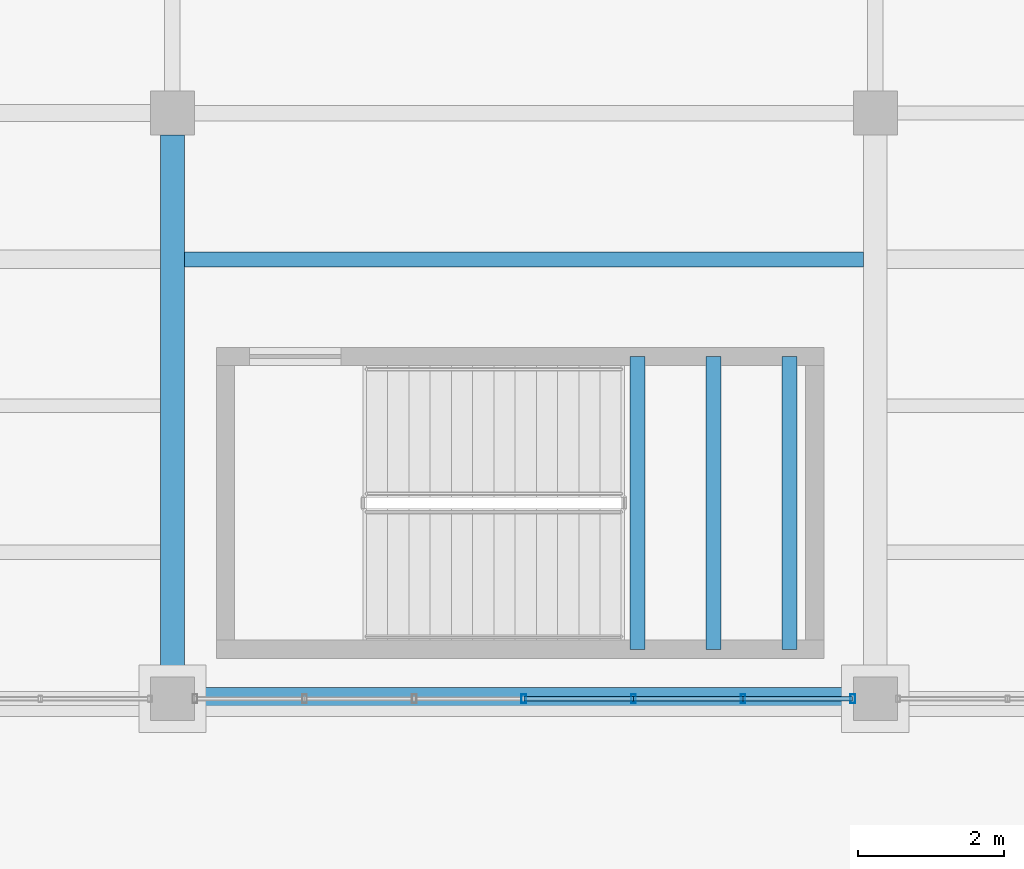
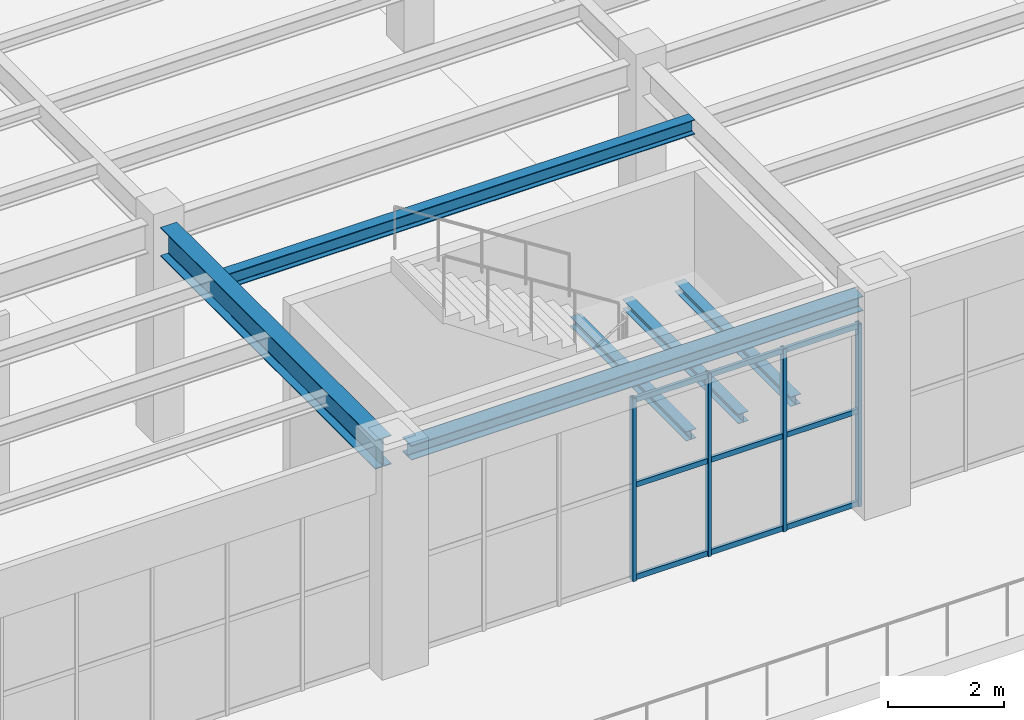
# One storey, part 32 of 83: 13 members, 6 beams, 1 element without a shape of its own.
"""IFC4 building model written with IfcOpenShell, lengths in metres."""

from ifc_helpers import new_model, si_unit, direction, frame, origin, origin_2d, place, context, subcontext, project, spatial, hollow_rectangle, i_section, extrude, material, material_profile, profile_set, type_object, element, aggregate, save


model = new_model("IFC4")

# Units and contexts
model_context = context("Model", 3, precision=1e-05, world=origin(), true_north=direction((0.0, 1.0)))
body_context = subcontext(model_context, "Body", "Model", "MODEL_VIEW")
ifc_project = project(units=[si_unit("LENGTHUNIT", "METRE"), si_unit("AREAUNIT", "SQUARE_METRE"), si_unit("VOLUMEUNIT", "CUBIC_METRE"), si_unit("PLANEANGLEUNIT", "RADIAN"), si_unit("MASSUNIT", "GRAM", prefix="KILO")], contexts=[model_context])

# Site, building, storey
site_placement = place(None, origin())
site = spatial("IfcSite", under=ifc_project, at=site_placement, CompositionType="ELEMENT")
building_placement = place(site_placement, origin())
building = spatial("IfcBuilding", under=site, at=building_placement, Name="Mavantir Sound Aquarium", CompositionType="ELEMENT")
storey_placement = place(building_placement, frame((0.0, 0.0, 10.5)))
storey = spatial("IfcBuildingStorey", under=building, at=storey_placement, Name="L02", CompositionType="ELEMENT", Elevation=10.5)

# Beams
ifc_material_1 = material(Name="Structural Steel ASTM A992 Gr50", Category="steel")
ifc_material_profile_1 = material_profile(ifc_material_1, i_section(OverallWidth=0.202880859375, OverallDepth=0.202880859375, WebThickness=0.007080078125, FlangeThickness=0.010986328125, FilletRadius=0.010009765625, at=origin_2d()), Name="W200X46")
ifc_profile_set_1 = profile_set([ifc_material_profile_1], Name="Structural Steel ASTM A992 Gr50")
beam_type_1 = type_object("IfcBeamType", Name="BM-W200X46-I", PredefinedType="LINTEL", material=ifc_profile_set_1)
for number, where, z_axis, x_axis, name in (
    (1, (152.75, 41.47509765625, 2.095458984375), (0.0, 1.0, 0.0), (-1.0, 0.0, 0.0), "Stair ST12 landing support beam 79"),
    (2, (153.7900390625, 41.47509765625, 2.095458984375), (0.0, 1.0, 0.0), (-1.0, 0.0, 0.0), "Stair ST12 landing support beam 80"),
    (3, (154.830078125, 41.47509765625, 2.095458984375), (0.0, 1.0, 0.0), (-1.0, 0.0, 0.0), "Stair ST12 landing support beam 81"),
):
    element("IfcBeam", number, at=place(storey_placement, frame(where, z_axis=z_axis, x_axis=x_axis)), inside=storey, type_object=beam_type_1, Name=name, PredefinedType="LINTEL", context=body_context, shape_type="SweptSolid", body=[
        extrude(i_section(OverallWidth=0.202880859375, OverallDepth=0.202880859375, WebThickness=0.007080078125, FlangeThickness=0.010986328125, FilletRadius=0.010009765625, at=origin_2d()), origin(), (0.0, 0.0, 1.0), 4.0),
    ])
ifc_material_profile_2 = material_profile(ifc_material_1, i_section(OverallWidth=0.205078125, OverallDepth=0.31005859375, WebThickness=0.009521484375, FlangeThickness=0.016357421875, FilletRadius=0.012939453125, at=origin_2d()), Name="W310X74")
ifc_profile_set_2 = profile_set([ifc_material_profile_2], Name="Structural Steel ASTM A992 Gr50")
beam_type_2 = type_object("IfcBeamType", Name="BM-W310X74-I", PredefinedType="JOIST", material=ifc_profile_set_2)
beam_1_placement = place(storey_placement, frame((146.56201171875, 46.800048828125, 4.3310546875), z_axis=(1.0, 0.0, 0.0), x_axis=(0.0, 1.0, 0.0)))
element("IfcBeam", 4, at=beam_1_placement, inside=storey, type_object=beam_type_2, Name="L02 secondary floor joist SJ-31 899", PredefinedType="JOIST", context=body_context, shape_type="SweptSolid", body=[
    extrude(i_section(OverallWidth=0.205078125, OverallDepth=0.31005859375, WebThickness=0.009521484375, FlangeThickness=0.016357421875, FilletRadius=0.012939453125, at=origin_2d()), origin(), (0.0, 0.0, 1.0), 9.27587890625),
])
ifc_material_profile_3 = material_profile(ifc_material_1, i_section(OverallWidth=0.304931640625, OverallDepth=0.30810546875, WebThickness=0.010009765625, FlangeThickness=0.015380859375, FilletRadius=0.014892578125, at=origin_2d()), Name="W310X97")
ifc_profile_set_3 = profile_set([ifc_material_profile_3], Name="Structural Steel ASTM A992 Gr50")
beam_type_3 = type_object("IfcBeamType", Name="BM-W310X97-E", PredefinedType="SPANDREL", material=ifc_profile_set_3)
beam_2_placement = place(storey_placement, frame((146.699951171875, 40.800048828125, 4.33203125), z_axis=(1.0, 0.0, 0.0), x_axis=(0.0, 1.0, 0.0)))
element("IfcBeam", 5, at=beam_2_placement, inside=storey, type_object=beam_type_3, Name="L02 primary beam SS-31A 1519", PredefinedType="SPANDREL", context=body_context, shape_type="SweptSolid", body=[
    extrude(i_section(OverallWidth=0.304931640625, OverallDepth=0.30810546875, WebThickness=0.010009765625, FlangeThickness=0.015380859375, FilletRadius=0.014892578125, at=origin_2d()), origin(), (0.0, 0.0, 1.0), 9.0),
])
ifc_material_profile_4 = material_profile(ifc_material_1, i_section(OverallWidth=0.323974609375, OverallDepth=0.611083984375, WebThickness=0.0126953125, FlangeThickness=0.01904296875, FilletRadius=0.01904296875, at=origin_2d()), Name="W610X155")
ifc_profile_set_4 = profile_set([ifc_material_profile_4], Name="Structural Steel ASTM A992 Gr50")
beam_type_4 = type_object("IfcBeamType", Name="BM-W610X155-I", PredefinedType="BEAM", material=ifc_profile_set_4)
beam_3_placement = place(storey_placement, frame((146.39990234375, 41.10009765625, 4.180419921875), z_axis=(0.0, 1.0, 0.0), x_axis=(-1.0, 0.0, 0.0)))
element("IfcBeam", 6, at=beam_3_placement, inside=storey, type_object=beam_type_4, Name="L02 primary girder SB-61A 1585", PredefinedType="BEAM", context=body_context, shape_type="SweptSolid", body=[
    extrude(i_section(OverallWidth=0.323974609375, OverallDepth=0.611083984375, WebThickness=0.0126953125, FlangeThickness=0.01904296875, FilletRadius=0.01904296875, at=origin_2d()), origin(), (0.0, 0.0, 1.0), 7.39990234375),
])

# Curtain wall, members
ifc_material_2 = material(Name="Anodised Marine Aluminium and Low-E Glass", Category="aluminium")
curtain_wall_type = type_object("IfcCurtainWallType", Name="CW-T16", PredefinedType="USERDEFINED", material=ifc_material_2)
curtain_wall_placement = place(storey_placement, origin())
curtain_wall = element("IfcCurtainWall", 7, at=curtain_wall_placement, inside=storey, type_object=curtain_wall_type, Name="L02 unitised curtain wall CW-16 136", ObjectType="UNITISED GLAZING", PredefinedType="USERDEFINED")
ifc_material_3 = material(Name="Anodised Marine Aluminium 6063-T6", Category="aluminium")
ifc_material_profile_5 = material_profile(ifc_material_3, hollow_rectangle(XDim=0.06494140625, YDim=0.1201171875, WallThickness=0.00390625, at=origin_2d()), Name="ALU-MULLION-120X65")
ifc_profile_set_5 = profile_set([ifc_material_profile_5], Name="Anodised Marine Aluminium 6063-T6")
member_type_1 = type_object("IfcMemberType", Name="CW-MUL-120", PredefinedType="MULLION", material=ifc_profile_set_5)
member_1_placement = place(storey_placement, frame((151.199951171875, 40.800048828125, 0.0), z_axis=(0.0, 0.0, 1.0), x_axis=(1.0, 0.0, 0.0)))
member_1 = element("IfcMember", 8, at=member_1_placement, type_object=member_type_1, Name="CW-L02-136 vertical mullion 4", PredefinedType="MULLION", context=body_context, shape_type="SweptSolid", body=[
    extrude(hollow_rectangle(XDim=0.06494140625, YDim=0.1201171875, WallThickness=0.00390625, at=origin_2d()), origin(), (0.0, 0.0, 1.0), 3.844970703125),
])
member_2_placement = place(storey_placement, frame((152.697265625, 40.800048828125, 0.0), z_axis=(0.0, 0.0, 1.0), x_axis=(1.0, 0.0, 0.0)))
member_2 = element("IfcMember", 9, at=member_2_placement, type_object=member_type_1, Name="CW-L02-136 vertical mullion 5", PredefinedType="MULLION", context=body_context, shape_type="SweptSolid", body=[
    extrude(hollow_rectangle(XDim=0.06494140625, YDim=0.1201171875, WallThickness=0.00390625, at=origin_2d()), origin(), (0.0, 0.0, 1.0), 3.844970703125),
])
member_3_placement = place(storey_placement, frame((154.194580078125, 40.800048828125, 0.0), z_axis=(0.0, 0.0, 1.0), x_axis=(1.0, 0.0, 0.0)))
member_3 = element("IfcMember", 10, at=member_3_placement, type_object=member_type_1, Name="CW-L02-136 vertical mullion 6", PredefinedType="MULLION", context=body_context, shape_type="SweptSolid", body=[
    extrude(hollow_rectangle(XDim=0.06494140625, YDim=0.1201171875, WallThickness=0.00390625, at=origin_2d()), origin(), (0.0, 0.0, 1.0), 3.844970703125),
])
member_4_placement = place(storey_placement, frame((155.69189453125, 40.800048828125, 0.0), z_axis=(0.0, 0.0, 1.0), x_axis=(1.0, 0.0, 0.0)))
member_4 = element("IfcMember", 11, at=member_4_placement, type_object=member_type_1, Name="CW-L02-136 vertical mullion 7", PredefinedType="MULLION", context=body_context, shape_type="SweptSolid", body=[
    extrude(hollow_rectangle(XDim=0.06494140625, YDim=0.1201171875, WallThickness=0.00390625, at=origin_2d()), origin(), (0.0, 0.0, 1.0), 3.844970703125),
])
ifc_material_profile_6 = material_profile(ifc_material_3, hollow_rectangle(XDim=0.06005859375, YDim=0.110107421875, WallThickness=0.00390625, at=origin_2d()), Name="ALU-TRANSOM-110X60")
ifc_profile_set_6 = profile_set([ifc_material_profile_6], Name="Anodised Marine Aluminium 6063-T6")
member_type_2 = type_object("IfcMemberType", Name="CW-TRN-110", PredefinedType="USERDEFINED", material=ifc_profile_set_6)
member_5_placement = place(storey_placement, frame((151.199951171875, 40.800048828125, 0.054931640625), z_axis=(1.0, 0.0, 0.0), x_axis=(0.0, 1.0, 0.0)))
member_5 = element("IfcMember", 12, at=member_5_placement, type_object=member_type_2, Name="CW-L02-136 transom 4.1", ObjectType="TRANSOM", PredefinedType="USERDEFINED", context=body_context, shape_type="SweptSolid", body=[
    extrude(hollow_rectangle(XDim=0.06005859375, YDim=0.110107421875, WallThickness=0.00390625, at=origin_2d()), origin(), (0.0, 0.0, 1.0), 1.497314453125),
])
member_6_placement = place(storey_placement, frame((151.199951171875, 40.800048828125, 1.99951171875), z_axis=(1.0, 0.0, 0.0), x_axis=(0.0, 1.0, 0.0)))
member_6 = element("IfcMember", 13, at=member_6_placement, type_object=member_type_2, Name="CW-L02-136 transom 4.2", ObjectType="TRANSOM", PredefinedType="USERDEFINED", context=body_context, shape_type="SweptSolid", body=[
    extrude(hollow_rectangle(XDim=0.06005859375, YDim=0.110107421875, WallThickness=0.00390625, at=origin_2d()), origin(), (0.0, 0.0, 1.0), 1.497314453125),
])
member_7_placement = place(storey_placement, frame((151.199951171875, 40.800048828125, 3.7900390625), z_axis=(1.0, 0.0, 0.0), x_axis=(0.0, 1.0, 0.0)))
member_7 = element("IfcMember", 14, at=member_7_placement, type_object=member_type_2, Name="CW-L02-136 transom 4.3", ObjectType="TRANSOM", PredefinedType="USERDEFINED", context=body_context, shape_type="SweptSolid", body=[
    extrude(hollow_rectangle(XDim=0.06005859375, YDim=0.110107421875, WallThickness=0.00390625, at=origin_2d()), origin(), (0.0, 0.0, 1.0), 1.497314453125),
])
member_8_placement = place(storey_placement, frame((152.697265625, 40.800048828125, 0.054931640625), z_axis=(1.0, 0.0, 0.0), x_axis=(0.0, 1.0, 0.0)))
member_8 = element("IfcMember", 15, at=member_8_placement, type_object=member_type_2, Name="CW-L02-136 transom 5.1", ObjectType="TRANSOM", PredefinedType="USERDEFINED", context=body_context, shape_type="SweptSolid", body=[
    extrude(hollow_rectangle(XDim=0.06005859375, YDim=0.110107421875, WallThickness=0.00390625, at=origin_2d()), origin(), (0.0, 0.0, 1.0), 1.497314453125),
])
member_9_placement = place(storey_placement, frame((152.697265625, 40.800048828125, 1.99951171875), z_axis=(1.0, 0.0, 0.0), x_axis=(0.0, 1.0, 0.0)))
member_9 = element("IfcMember", 16, at=member_9_placement, type_object=member_type_2, Name="CW-L02-136 transom 5.2", ObjectType="TRANSOM", PredefinedType="USERDEFINED", context=body_context, shape_type="SweptSolid", body=[
    extrude(hollow_rectangle(XDim=0.06005859375, YDim=0.110107421875, WallThickness=0.00390625, at=origin_2d()), origin(), (0.0, 0.0, 1.0), 1.497314453125),
])
member_10_placement = place(storey_placement, frame((152.697265625, 40.800048828125, 3.7900390625), z_axis=(1.0, 0.0, 0.0), x_axis=(0.0, 1.0, 0.0)))
member_10 = element("IfcMember", 17, at=member_10_placement, type_object=member_type_2, Name="CW-L02-136 transom 5.3", ObjectType="TRANSOM", PredefinedType="USERDEFINED", context=body_context, shape_type="SweptSolid", body=[
    extrude(hollow_rectangle(XDim=0.06005859375, YDim=0.110107421875, WallThickness=0.00390625, at=origin_2d()), origin(), (0.0, 0.0, 1.0), 1.497314453125),
])
member_11_placement = place(storey_placement, frame((154.194580078125, 40.800048828125, 0.054931640625), z_axis=(1.0, 0.0, 0.0), x_axis=(0.0, 1.0, 0.0)))
member_11 = element("IfcMember", 18, at=member_11_placement, type_object=member_type_2, Name="CW-L02-136 transom 6.1", ObjectType="TRANSOM", PredefinedType="USERDEFINED", context=body_context, shape_type="SweptSolid", body=[
    extrude(hollow_rectangle(XDim=0.06005859375, YDim=0.110107421875, WallThickness=0.00390625, at=origin_2d()), origin(), (0.0, 0.0, 1.0), 1.497314453125),
])
member_12_placement = place(storey_placement, frame((154.194580078125, 40.800048828125, 1.99951171875), z_axis=(1.0, 0.0, 0.0), x_axis=(0.0, 1.0, 0.0)))
member_12 = element("IfcMember", 19, at=member_12_placement, type_object=member_type_2, Name="CW-L02-136 transom 6.2", ObjectType="TRANSOM", PredefinedType="USERDEFINED", context=body_context, shape_type="SweptSolid", body=[
    extrude(hollow_rectangle(XDim=0.06005859375, YDim=0.110107421875, WallThickness=0.00390625, at=origin_2d()), origin(), (0.0, 0.0, 1.0), 1.497314453125),
])
member_13_placement = place(storey_placement, frame((154.194580078125, 40.800048828125, 3.7900390625), z_axis=(1.0, 0.0, 0.0), x_axis=(0.0, 1.0, 0.0)))
member_13 = element("IfcMember", 20, at=member_13_placement, type_object=member_type_2, Name="CW-L02-136 transom 6.3", ObjectType="TRANSOM", PredefinedType="USERDEFINED", context=body_context, shape_type="SweptSolid", body=[
    extrude(hollow_rectangle(XDim=0.06005859375, YDim=0.110107421875, WallThickness=0.00390625, at=origin_2d()), origin(), (0.0, 0.0, 1.0), 1.497314453125),
])
aggregate(curtain_wall, [member_1, member_2, member_3, member_4, member_5, member_6, member_7, member_8, member_9, member_10, member_11, member_12, member_13])

save(model, "model.ifc")
